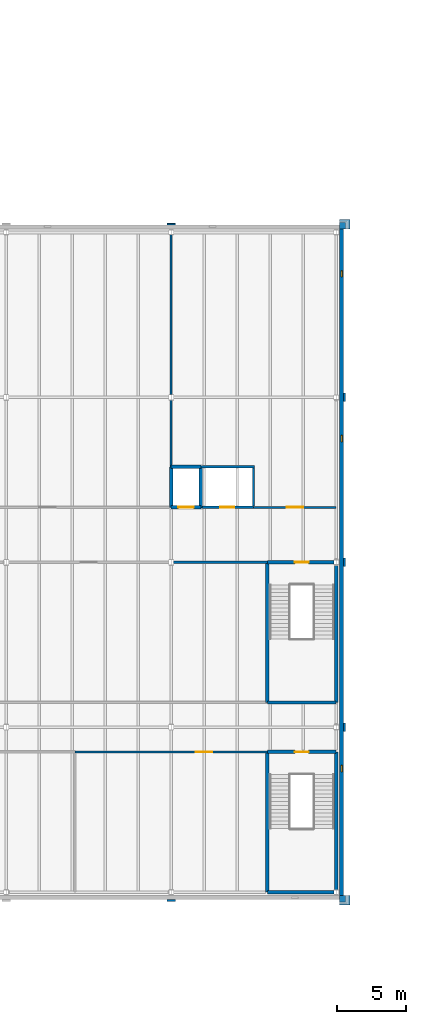
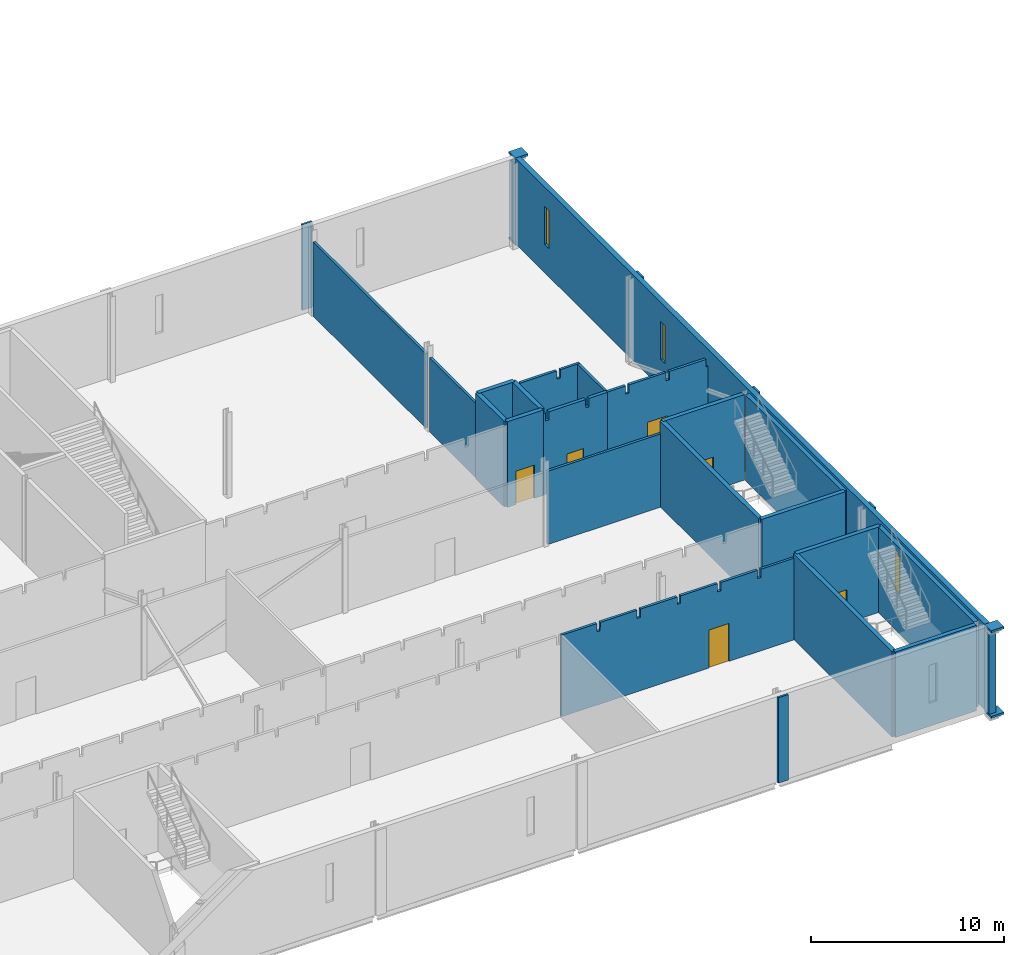
# One storey, part 120 of 170: 32 walls, 6 doors, 3 windows, 9 openings.
"""IFC4 building model written with IfcOpenShell, lengths in metres."""

from ifc_helpers import new_model, si_unit, direction, frame, frame_2d, origin, place, context, subcontext, project, spatial, polyline, rectangle, outline, extrude, material, layer, layer_set, type_object, element, fill, save


model = new_model("IFC4")

# Units and contexts
model_context = context("Model", 3, precision=1e-05, world=origin(), true_north=direction((0.0, 1.0)))
body_context = subcontext(model_context, "Body", "Model", "MODEL_VIEW")
ifc_project = project(units=[si_unit("LENGTHUNIT", "METRE"), si_unit("AREAUNIT", "SQUARE_METRE"), si_unit("VOLUMEUNIT", "CUBIC_METRE"), si_unit("PLANEANGLEUNIT", "RADIAN"), si_unit("MASSUNIT", "GRAM", prefix="KILO")], contexts=[model_context])

# Site, building, storey
site_placement = place(None, origin())
site = spatial("IfcSite", under=ifc_project, at=site_placement, CompositionType="ELEMENT")
building_placement = place(site_placement, origin())
building = spatial("IfcBuilding", under=site, at=building_placement, Name="Ravi Spectrum Wholesale Market", CompositionType="ELEMENT")
storey_placement = place(building_placement, frame((0.0, 0.0, 5.39990234375)))
storey = spatial("IfcBuildingStorey", under=building, at=storey_placement, Name="L01", CompositionType="ELEMENT", Elevation=5.39990234375)

# Wall, opening, door
ifc_material_1 = material(Name="Concrete blockwork", Category="masonry")
ifc_layer_1 = layer(ifc_material_1, 0.199951171875)
ifc_layer_set_1 = layer_set([ifc_layer_1], Name="Concrete blockwork")
wall_type_1 = type_object("IfcWallType", Name="Blockwork partition 200 fire", PredefinedType="PARTITIONING", material=ifc_layer_set_1)
wall_1_placement = place(storey_placement, frame((272.14990234375, 46.0, 0.0), z_axis=(0.0, 0.0, 1.0), x_axis=(1.0, 0.0, 0.0)))
wall_1 = element("IfcWall", 1, at=wall_1_placement, inside=storey, type_object=wall_type_1, Name="CS-WL-L01-106", PredefinedType="PARTITIONING", context=body_context, shape_type="SweptSolid", body=[
    extrude(outline(polyline([(0.0, 0.0), (3.85009765625, 0.0), (3.85009765625, 5.150146484375), (2.7548828125, 5.150146484375), (2.75, 4.630126953125), (2.550048828125, 4.630126953125), (2.544921875, 5.150146484375), (0.35498046875, 5.150146484375), (0.35009765625, 4.630126953125), (0.14990234375, 4.630126953125), (0.14501953125, 5.150146484375), (0.0, 5.150146484375), (0.0, 0.0)])), frame((0.0, 0.10009765625, 0.0), z_axis=(0.0, -1.0, 0.0), x_axis=(1.0, 0.0, 0.0)), (0.0, 0.0, 1.0), 0.199951171875),
])
opening_1_placement = place(wall_1_placement, frame((1.425048828125, 0.0, 0.0)))
opening_1 = element("IfcOpeningElement", 2, at=opening_1_placement, cuts=wall_1, Name="Opening D519", PredefinedType="OPENING", context=body_context, shape_type="SweptSolid", body=[
    extrude(rectangle(XDim=1.0, YDim=2.10009765625, at=frame_2d((0.5, 1.050048828125))), frame((0.0, 0.10986328125, 0.0), z_axis=(0.0, -1.0, 0.0), x_axis=(1.0, 0.0, 0.0)), (0.0, 0.0, 1.0), 0.219970703125),
])
ifc_material_2 = material(Name="Steel door", Category="steel")
door_type_1 = type_object("IfcDoorType", Name="Plant room door 1000 x 2100", OperationType="SINGLE_SWING_LEFT", PredefinedType="DOOR", material=ifc_material_2)
door_1_placement = place(opening_1_placement, origin())
door_1 = element("IfcDoor", 3, at=door_1_placement, inside=storey, type_object=door_type_1, Name="Riser access door D519", OperationType="SINGLE_SWING_RIGHT", OverallHeight=2.10009765625, OverallWidth=1.0, PredefinedType="DOOR", context=body_context, shape_type="SweptSolid", body=[
    extrude(rectangle(XDim=1.0, YDim=2.10009765625, at=frame_2d((0.5, 1.050048828125))), frame((0.0, 0.02490234375, 0.0), z_axis=(0.0, -1.0, 0.0), x_axis=(1.0, 0.0, 0.0)), (0.0, 0.0, 1.0), 0.050048828125),
])
fill(opening_1, door_1)

# Walls
ifc_material_3 = material(Name="Clinker brickwork", Category="masonry")
ifc_layer_2 = layer(ifc_material_3, 0.695068359375)
ifc_layer_set_2 = layer_set([ifc_layer_2], Name="Clinker brickwork")
wall_type_2 = type_object("IfcWallType", Name="Brick corbel 695", PredefinedType="SOLIDWALL", material=ifc_layer_set_2)
for number, where, z_axis, x_axis, name in (
    (4, (282.25, 17.402587890625, -0.1298828125), (0.0, 0.0, 1.0), (1.0, 0.0, 0.0), "CS-WL-L01-036"),
    (5, (282.25, 66.597412109375, -0.1298828125), (0.0, 0.0, 1.0), (1.0, 0.0, 0.0), "CS-WL-L01-039"),
):
    element("IfcWall", number, at=place(storey_placement, frame(where, z_axis=z_axis, x_axis=x_axis)), inside=storey, type_object=wall_type_2, Name=name, PredefinedType="SOLIDWALL", context=body_context, shape_type="SweptSolid", body=[
        extrude(rectangle(XDim=0.760009765625, YDim=0.695068359375, at=frame_2d((0.3798828125, 0.0))), origin(), (0.0, 0.0, 1.0), 0.1298828125),
    ])
for number, where, z_axis, x_axis, name in (
    (6, (282.25, 17.402587890625, 5.27001953125), (0.0, 0.0, 1.0), (1.0, 0.0, 0.0), "CS-WL-L01-050"),
    (7, (282.25, 66.597412109375, 5.27001953125), (0.0, 0.0, 1.0), (1.0, 0.0, 0.0), "CS-WL-L01-054"),
):
    element("IfcWall", number, at=place(storey_placement, frame(where, z_axis=z_axis, x_axis=x_axis)), inside=storey, type_object=wall_type_2, Name=name, PredefinedType="SOLIDWALL", context=body_context, shape_type="SweptSolid", body=[
        extrude(rectangle(XDim=0.760009765625, YDim=0.695068359375, at=frame_2d((0.3798828125, 0.0))), origin(), (0.0, 0.0, 1.0), 0.130126953125),
    ])

# Wall, openings, windows
ifc_material_4 = material(Name="Brick-faced insulated panel", Category="masonry")
ifc_layer_3 = layer(ifc_material_4, 0.300048828125)
ifc_layer_set_3 = layer_set([ifc_layer_3], Name="Brick-faced insulated panel")
wall_type_3 = type_object("IfcWallType", Name="Brick faced insulated panel 300", PredefinedType="SOLIDWALL", material=ifc_layer_set_3)
wall_2_placement = place(storey_placement, frame((282.39990234375, 17.75, 0.0), z_axis=(0.0, 0.0, 1.0), x_axis=(0.0, 1.0, 0.0)))
wall_2 = element("IfcWall", 8, at=wall_2_placement, inside=storey, type_object=wall_type_3, Name="CS-WL-L01-066", PredefinedType="SOLIDWALL", context=body_context, shape_type="SweptSolid", body=[
    extrude(rectangle(XDim=48.5, YDim=0.300048828125, at=frame_2d((24.25, 0.0))), origin(), (0.0, 0.0, 1.0), 5.400146484375),
])
opening_2_placement = place(wall_2_placement, frame((9.02490234375, 0.0, 1.800048828125)))
opening_2 = element("IfcOpeningElement", 9, at=opening_2_placement, cuts=wall_2, Name="Opening W2622", PredefinedType="OPENING", context=body_context, shape_type="SweptSolid", body=[
    extrude(rectangle(XDim=0.449951171875, YDim=2.39990234375, at=frame_2d((0.22509765625, 1.199951171875))), frame((0.0, 0.159912109375, 0.0), z_axis=(0.0, -1.0, 0.0), x_axis=(1.0, 0.0, 0.0)), (0.0, 0.0, 1.0), 0.320068359375),
])
opening_3_placement = place(wall_2_placement, frame((33.02490234375, 0.0, 1.800048828125)))
opening_3 = element("IfcOpeningElement", 10, at=opening_3_placement, cuts=wall_2, Name="Opening W2624", PredefinedType="OPENING", context=body_context, shape_type="SweptSolid", body=[
    extrude(rectangle(XDim=0.449951171875, YDim=2.39990234375, at=frame_2d((0.22509765625, 1.199951171875))), frame((0.0, 0.159912109375, 0.0), z_axis=(0.0, -1.0, 0.0), x_axis=(1.0, 0.0, 0.0)), (0.0, 0.0, 1.0), 0.320068359375),
])
opening_4_placement = place(wall_2_placement, frame((45.02490234375, 0.0, 1.800048828125)))
opening_4 = element("IfcOpeningElement", 11, at=opening_4_placement, cuts=wall_2, Name="Opening W2625", PredefinedType="OPENING", context=body_context, shape_type="SweptSolid", body=[
    extrude(rectangle(XDim=0.449951171875, YDim=2.39990234375, at=frame_2d((0.22509765625, 1.199951171875))), frame((0.0, 0.159912109375, 0.0), z_axis=(0.0, -1.0, 0.0), x_axis=(1.0, 0.0, 0.0)), (0.0, 0.0, 1.0), 0.320068359375),
])
ifc_material_5 = material(Name="Steel window frame", Category="steel")
window_type = type_object("IfcWindowType", Name="Slot window 450 x 2400", PartitioningType="SINGLE_PANEL", PredefinedType="WINDOW", material=ifc_material_5)
window_1_placement = place(opening_2_placement, origin())
window_1 = element("IfcWindow", 12, at=window_1_placement, inside=storey, type_object=window_type, Name="Window W2622", OverallHeight=2.39990234375, OverallWidth=0.449951171875, PartitioningType="SINGLE_PANEL", PredefinedType="WINDOW", context=body_context, shape_type="SweptSolid", body=[
    extrude(rectangle(XDim=0.449951171875, YDim=2.39990234375, at=frame_2d((0.22509765625, 1.199951171875))), frame((0.0, 0.030029296875, 0.0), z_axis=(0.0, -1.0, 0.0), x_axis=(1.0, 0.0, 0.0)), (0.0, 0.0, 1.0), 0.06005859375),
])
fill(opening_2, window_1)
window_2_placement = place(opening_3_placement, origin())
window_2 = element("IfcWindow", 13, at=window_2_placement, inside=storey, type_object=window_type, Name="Window W2624", OverallHeight=2.39990234375, OverallWidth=0.449951171875, PartitioningType="SINGLE_PANEL", PredefinedType="WINDOW", context=body_context, shape_type="SweptSolid", body=[
    extrude(rectangle(XDim=0.449951171875, YDim=2.39990234375, at=frame_2d((0.22509765625, 1.199951171875))), frame((0.0, 0.030029296875, 0.0), z_axis=(0.0, -1.0, 0.0), x_axis=(1.0, 0.0, 0.0)), (0.0, 0.0, 1.0), 0.06005859375),
])
fill(opening_3, window_2)
window_3_placement = place(opening_4_placement, origin())
window_3 = element("IfcWindow", 14, at=window_3_placement, inside=storey, type_object=window_type, Name="Window W2625", OverallHeight=2.39990234375, OverallWidth=0.449951171875, PartitioningType="SINGLE_PANEL", PredefinedType="WINDOW", context=body_context, shape_type="SweptSolid", body=[
    extrude(rectangle(XDim=0.449951171875, YDim=2.39990234375, at=frame_2d((0.22509765625, 1.199951171875))), frame((0.0, 0.030029296875, 0.0), z_axis=(0.0, -1.0, 0.0), x_axis=(1.0, 0.0, 0.0)), (0.0, 0.0, 1.0), 0.06005859375),
])
fill(opening_4, window_3)

# Walls
ifc_material_6 = material(Name="Clinker brickwork", Category="masonry")
ifc_layer_4 = layer(ifc_material_6, 0.485107421875)
ifc_layer_set_4 = layer_set([ifc_layer_4], Name="Clinker brickwork")
wall_type_4 = type_object("IfcWallType", Name="Brick pier 485", PredefinedType="SOLIDWALL", material=ifc_layer_set_4)
for number, where, z_axis, x_axis, name in (
    (15, (282.25, 17.507568359375, 0.0), (0.0, 0.0, 1.0), (1.0, 0.0, 0.0), "CS-WL-L01-047"),
    (16, (282.25, 66.492431640625, 0.0), (0.0, 0.0, 1.0), (1.0, 0.0, 0.0), "CS-WL-L01-051"),
):
    element("IfcWall", number, at=place(storey_placement, frame(where, z_axis=z_axis, x_axis=x_axis)), inside=storey, type_object=wall_type_4, Name=name, PredefinedType="SOLIDWALL", context=body_context, shape_type="SweptSolid", body=[
        extrude(rectangle(XDim=0.4150390625, YDim=0.485107421875, at=frame_2d((0.20751953125, 0.0))), origin(), (0.0, 0.0, 1.0), 5.010009765625),
    ])
ifc_material_7 = material(Name="Facing brickwork", Category="masonry")
ifc_layer_5 = layer(ifc_material_7, 0.114990234375)
ifc_layer_set_5 = layer_set([ifc_layer_5], Name="Facing brickwork")
wall_type_5 = type_object("IfcWallType", Name="Brick pilaster 115", PredefinedType="SOLIDWALL", material=ifc_layer_set_5)
for number, where, z_axis, x_axis, name in (
    (17, (269.699951171875, 17.392578125, 0.0), (0.0, 0.0, 1.0), (1.0, 0.0, 0.0), "CS-WL-L01-065"),
    (18, (282.607421875, 29.699951171875, 0.0), (0.0, 0.0, 1.0), (0.0, 1.0, 0.0), "CS-WL-L01-067"),
    (19, (282.607421875, 41.699951171875, 0.0), (0.0, 0.0, 1.0), (0.0, 1.0, 0.0), "CS-WL-L01-068"),
    (20, (282.607421875, 53.699951171875, 0.0), (0.0, 0.0, 1.0), (0.0, 1.0, 0.0), "CS-WL-L01-069"),
    (21, (270.300048828125, 66.607421875, 0.0), (0.0, 0.0, 1.0), (-1.0, 0.0, 0.0), "CS-WL-L01-071"),
):
    element("IfcWall", number, at=place(storey_placement, frame(where, z_axis=z_axis, x_axis=x_axis)), inside=storey, type_object=wall_type_5, Name=name, PredefinedType="SOLIDWALL", context=body_context, shape_type="SweptSolid", body=[
        extrude(rectangle(XDim=0.60009765625, YDim=0.114990234375, at=frame_2d((0.300048828125, 0.0))), origin(), (0.0, 0.0, 1.0), 5.400146484375),
    ])

# Wall, opening, door
ifc_material_8 = material(Name="Insulated panel")
ifc_layer_6 = layer(ifc_material_8, 0.14990234375)
ifc_layer_set_6 = layer_set([ifc_layer_6], Name="Insulated panel")
wall_type_6 = type_object("IfcWallType", Name="Cold store panel 150", PredefinedType="PARTITIONING", material=ifc_layer_set_6)
wall_3_placement = place(storey_placement, frame((263.0, 28.199951171875, 0.0), z_axis=(0.0, 0.0, 1.0), x_axis=(1.0, 0.0, 0.0)))
wall_3 = element("IfcWall", 22, at=wall_3_placement, inside=storey, type_object=wall_type_6, Name="CS-WL-L01-088", PredefinedType="PARTITIONING", context=body_context, shape_type="SweptSolid", body=[
    extrude(outline(polyline([(0.0, 0.0), (14.0, 0.0), (14.0, 5.150146484375), (11.905029296875, 5.150146484375), (11.89990234375, 4.630126953125), (11.699951171875, 4.630126953125), (11.695068359375, 5.150146484375), (9.5048828125, 5.150146484375), (9.5, 4.630126953125), (9.300048828125, 4.630126953125), (9.294921875, 5.150146484375), (7.10009765625, 5.150146484375), (7.094970703125, 4.68017578125), (6.905029296875, 4.68017578125), (6.89990234375, 5.150146484375), (4.705078125, 5.150146484375), (4.699951171875, 4.630126953125), (4.5, 4.630126953125), (4.4951171875, 5.150146484375), (2.304931640625, 5.150146484375), (2.300048828125, 4.630126953125), (2.10009765625, 4.630126953125), (2.094970703125, 5.150146484375), (0.0, 5.150146484375), (0.0, 0.0)])), frame((0.0, 0.074951171875, 0.0), z_axis=(0.0, -1.0, 0.0), x_axis=(1.0, 0.0, 0.0)), (0.0, 0.0, 1.0), 0.14990234375),
])
opening_5_placement = place(wall_3_placement, frame((8.800048828125, 0.0, 0.0)))
opening_5 = element("IfcOpeningElement", 23, at=opening_5_placement, cuts=wall_3, Name="Opening D509", PredefinedType="OPENING", context=body_context, shape_type="SweptSolid", body=[
    extrude(rectangle(XDim=1.199951171875, YDim=2.39990234375, at=frame_2d((0.60009765625, 1.199951171875))), frame((0.0, 0.0849609375, 0.0), z_axis=(0.0, -1.0, 0.0), x_axis=(1.0, 0.0, 0.0)), (0.0, 0.0, 1.0), 0.169921875),
])
ifc_material_9 = material(Name="Insulated panel door")
door_type_2 = type_object("IfcDoorType", Name="Cold store insulated door 1200 x 2400", OperationType="SINGLE_SWING_LEFT", PredefinedType="DOOR", material=ifc_material_9)
door_2_placement = place(opening_5_placement, origin())
door_2 = element("IfcDoor", 24, at=door_2_placement, inside=storey, type_object=door_type_2, Name="Door D509", OperationType="SINGLE_SWING_LEFT", OverallHeight=2.39990234375, OverallWidth=1.199951171875, PredefinedType="DOOR", context=body_context, shape_type="SweptSolid", body=[
    extrude(rectangle(XDim=1.199951171875, YDim=2.39990234375, at=frame_2d((0.60009765625, 1.199951171875))), frame((0.0, 0.02490234375, 0.0), z_axis=(0.0, -1.0, 0.0), x_axis=(1.0, 0.0, 0.0)), (0.0, 0.0, 1.0), 0.050048828125),
])
fill(opening_5, door_2)

# Wall
wall_4_placement = place(storey_placement, frame((270.14990234375, 42.0, 0.0), z_axis=(0.0, 0.0, 1.0), x_axis=(1.0, 0.0, 0.0)))
element("IfcWall", 25, at=wall_4_placement, inside=storey, type_object=wall_type_6, Name="CS-WL-L01-100", PredefinedType="PARTITIONING", context=body_context, shape_type="SweptSolid", body=[
    extrude(rectangle(XDim=6.85009765625, YDim=0.14990234375, at=frame_2d((3.425048828125, 0.0))), origin(), (0.0, 0.0, 1.0), 4.630126953125),
])

# Wall, opening, door
wall_5_placement = place(storey_placement, frame((276.0, 46.0, 0.0), z_axis=(0.0, 0.0, 1.0), x_axis=(1.0, 0.0, 0.0)))
wall_5 = element("IfcWall", 26, at=wall_5_placement, inside=storey, type_object=wall_type_6, Name="CS-WL-L01-107", PredefinedType="PARTITIONING", context=body_context, shape_type="SweptSolid", body=[
    extrude(outline(polyline([(0.0, 0.0), (6.0, 0.0), (6.0, 4.68017578125), (5.905029296875, 4.68017578125), (5.89990234375, 5.150146484375), (3.705078125, 5.150146484375), (3.699951171875, 4.630126953125), (3.5, 4.630126953125), (3.4951171875, 5.150146484375), (1.304931640625, 5.150146484375), (1.300048828125, 4.630126953125), (1.10009765625, 4.630126953125), (1.094970703125, 5.150146484375), (0.0, 5.150146484375), (0.0, 0.0)])), frame((0.0, 0.074951171875, 0.0), z_axis=(0.0, -1.0, 0.0), x_axis=(1.0, 0.0, 0.0)), (0.0, 0.0, 1.0), 0.14990234375),
])
opening_6_placement = place(wall_5_placement, frame((2.39990234375, 0.0, 0.0)))
opening_6 = element("IfcOpeningElement", 27, at=opening_6_placement, cuts=wall_5, Name="Opening D517", PredefinedType="OPENING", context=body_context, shape_type="SweptSolid", body=[
    extrude(rectangle(XDim=1.199951171875, YDim=2.39990234375, at=frame_2d((0.60009765625, 1.199951171875))), frame((0.0, 0.0849609375, 0.0), z_axis=(0.0, -1.0, 0.0), x_axis=(1.0, 0.0, 0.0)), (0.0, 0.0, 1.0), 0.169921875),
])
door_3_placement = place(opening_6_placement, origin())
door_3 = element("IfcDoor", 28, at=door_3_placement, inside=storey, type_object=door_type_2, Name="Door D517", OperationType="SINGLE_SWING_LEFT", OverallHeight=2.39990234375, OverallWidth=1.199951171875, PredefinedType="DOOR", context=body_context, shape_type="SweptSolid", body=[
    extrude(rectangle(XDim=1.199951171875, YDim=2.39990234375, at=frame_2d((0.60009765625, 1.199951171875))), frame((0.0, 0.02490234375, 0.0), z_axis=(0.0, -1.0, 0.0), x_axis=(1.0, 0.0, 0.0)), (0.0, 0.0, 1.0), 0.050048828125),
])
fill(opening_6, door_3)

# Walls
wall_6_placement = place(storey_placement, frame((272.14990234375, 48.949951171875, 0.0), z_axis=(0.0, 0.0, 1.0), x_axis=(1.0, 0.0, 0.0)))
element("IfcWall", 29, at=wall_6_placement, inside=storey, type_object=wall_type_6, Name="CS-WL-L01-109", PredefinedType="PARTITIONING", context=body_context, shape_type="SweptSolid", body=[
    extrude(outline(polyline([(0.0, 0.0), (3.925048828125, 0.0), (3.925048828125, 5.150146484375), (2.7548828125, 5.150146484375), (2.75, 4.630126953125), (2.550048828125, 4.630126953125), (2.544921875, 5.150146484375), (0.35498046875, 5.150146484375), (0.35009765625, 4.630126953125), (0.14990234375, 4.630126953125), (0.14501953125, 5.150146484375), (0.0, 5.150146484375), (0.0, 0.0)])), frame((0.0, 0.074951171875, 0.0), z_axis=(0.0, -1.0, 0.0), x_axis=(1.0, 0.0, 0.0)), (0.0, 0.0, 1.0), 0.14990234375),
])
wall_7_placement = place(storey_placement, frame((270.0, 48.949951171875, 0.0), z_axis=(0.0, 0.0, 1.0), x_axis=(0.0, 1.0, 0.0)))
element("IfcWall", 30, at=wall_7_placement, inside=storey, type_object=wall_type_6, Name="CS-WL-L01-118", PredefinedType="PARTITIONING", context=body_context, shape_type="SweptSolid", body=[
    extrude(rectangle(XDim=4.85009765625, YDim=0.14990234375, at=frame_2d((2.425048828125, 0.0))), origin(), (0.0, 0.0, 1.0), 4.68017578125),
])
wall_8_placement = place(storey_placement, frame((270.0, 54.199951171875, 0.0), z_axis=(0.0, 0.0, 1.0), x_axis=(0.0, 1.0, 0.0)))
element("IfcWall", 31, at=wall_8_placement, inside=storey, type_object=wall_type_6, Name="CS-WL-L01-119", PredefinedType="PARTITIONING", context=body_context, shape_type="SweptSolid", body=[
    extrude(rectangle(XDim=11.630126953125, YDim=0.14990234375, at=frame_2d((5.81494140625, 0.0))), origin(), (0.0, 0.0, 1.0), 4.68017578125),
])
wall_9_placement = place(storey_placement, frame((276.0, 46.10009765625, 0.0), z_axis=(0.0, 0.0, 1.0), x_axis=(0.0, 1.0, 0.0)))
element("IfcWall", 32, at=wall_9_placement, inside=storey, type_object=wall_type_6, Name="CS-WL-L01-120", PredefinedType="PARTITIONING", context=body_context, shape_type="SweptSolid", body=[
    extrude(rectangle(XDim=2.77490234375, YDim=0.14990234375, at=frame_2d((1.387451171875, 0.0))), origin(), (0.0, 0.0, 1.0), 5.150146484375),
])
ifc_material_10 = material(Name="Concrete C35/45", Category="concrete")
ifc_layer_7 = layer(ifc_material_10, 0.25)
ifc_layer_set_7 = layer_set([ifc_layer_7], Name="Concrete C35/45")
wall_type_7 = type_object("IfcWallType", Name="Concrete core wall 250", PredefinedType="SHEAR", material=ifc_layer_set_7)
wall_10_placement = place(storey_placement, frame((277.0, 31.800048828125, 0.0), z_axis=(0.0, 0.0, 1.0), x_axis=(1.0, 0.0, 0.0)))
element("IfcWall", 33, at=wall_10_placement, inside=storey, type_object=wall_type_7, Name="Stair core wall Stair S-CS-2", PredefinedType="SHEAR", context=body_context, shape_type="SweptSolid", body=[
    extrude(rectangle(XDim=5.0, YDim=0.25, at=frame_2d((2.5, 0.0))), origin(), (0.0, 0.0, 1.0), 5.400146484375),
])
wall_11_placement = place(storey_placement, frame((282.0, 31.800048828125, 0.0), z_axis=(0.0, 0.0, 1.0), x_axis=(0.0, 1.0, 0.0)))
element("IfcWall", 34, at=wall_11_placement, inside=storey, type_object=wall_type_7, Name="Stair core wall Stair S-CS-2", PredefinedType="SHEAR", context=body_context, shape_type="SweptSolid", body=[
    extrude(rectangle(XDim=10.030029296875, YDim=0.25, at=frame_2d((5.01513671875, 0.0))), origin(), (0.0, 0.0, 1.0), 5.400146484375),
])

# Wall, opening, door
wall_12_placement = place(storey_placement, frame((277.0, 42.0, 0.0), z_axis=(0.0, 0.0, 1.0), x_axis=(1.0, 0.0, 0.0)))
wall_12 = element("IfcWall", 35, at=wall_12_placement, inside=storey, type_object=wall_type_7, Name="Stair core wall Stair S-CS-2", PredefinedType="SHEAR", context=body_context, shape_type="SweptSolid", body=[
    extrude(rectangle(XDim=4.85009765625, YDim=0.25, at=frame_2d((2.425048828125, 0.0))), origin(), (0.0, 0.0, 1.0), 5.400146484375),
])
opening_7_placement = place(wall_12_placement, frame((2.0, 0.0, 0.0)))
opening_7 = element("IfcOpeningElement", 36, at=opening_7_placement, cuts=wall_12, Name="Opening D496", PredefinedType="OPENING", context=body_context, shape_type="SweptSolid", body=[
    extrude(rectangle(XDim=1.0, YDim=2.10009765625, at=frame_2d((0.5, 1.050048828125))), frame((0.0, 0.135009765625, 0.0), z_axis=(0.0, -1.0, 0.0), x_axis=(1.0, 0.0, 0.0)), (0.0, 0.0, 1.0), 0.27001953125),
])
ifc_material_11 = material(Name="Steel door", Category="steel")
door_type_3 = type_object("IfcDoorType", Name="Stair door 1000 x 2100", OperationType="SINGLE_SWING_LEFT", PredefinedType="DOOR", material=ifc_material_11)
door_4_placement = place(opening_7_placement, origin())
door_4 = element("IfcDoor", 37, at=door_4_placement, inside=storey, type_object=door_type_3, Name="Door D496", OperationType="SINGLE_SWING_RIGHT", OverallHeight=2.10009765625, OverallWidth=1.0, PredefinedType="DOOR", context=body_context, shape_type="SweptSolid", body=[
    extrude(rectangle(XDim=1.0, YDim=2.10009765625, at=frame_2d((0.5, 1.050048828125))), frame((0.0, 0.02490234375, 0.0), z_axis=(0.0, -1.0, 0.0), x_axis=(1.0, 0.0, 0.0)), (0.0, 0.0, 1.0), 0.050048828125),
])
fill(opening_7, door_4)

# Walls
wall_13_placement = place(storey_placement, frame((277.0, 31.800048828125, 0.0), z_axis=(0.0, 0.0, 1.0), x_axis=(0.0, 1.0, 0.0)))
element("IfcWall", 38, at=wall_13_placement, inside=storey, type_object=wall_type_7, Name="Stair core wall Stair S-CS-2", PredefinedType="SHEAR", context=body_context, shape_type="SweptSolid", body=[
    extrude(rectangle(XDim=10.199951171875, YDim=0.25, at=frame_2d((5.10009765625, 0.0))), origin(), (0.0, 0.0, 1.0), 5.400146484375),
])
wall_14_placement = place(storey_placement, frame((277.0, 18.0, 0.0), z_axis=(0.0, 0.0, 1.0), x_axis=(1.0, 0.0, 0.0)))
element("IfcWall", 39, at=wall_14_placement, inside=storey, type_object=wall_type_7, Name="Stair core wall Stair S-CS-7", PredefinedType="SHEAR", context=body_context, shape_type="SweptSolid", body=[
    extrude(rectangle(XDim=4.85009765625, YDim=0.25, at=frame_2d((2.425048828125, 0.0))), origin(), (0.0, 0.0, 1.0), 5.400146484375),
])
wall_15_placement = place(storey_placement, frame((282.0, 18.169921875, 0.0), z_axis=(0.0, 0.0, 1.0), x_axis=(0.0, 1.0, 0.0)))
element("IfcWall", 40, at=wall_15_placement, inside=storey, type_object=wall_type_7, Name="Stair core wall Stair S-CS-7", PredefinedType="SHEAR", context=body_context, shape_type="SweptSolid", body=[
    extrude(rectangle(XDim=10.030029296875, YDim=0.25, at=frame_2d((5.01513671875, 0.0))), origin(), (0.0, 0.0, 1.0), 5.400146484375),
])

# Wall, opening, door
wall_16_placement = place(storey_placement, frame((277.0, 28.199951171875, 0.0), z_axis=(0.0, 0.0, 1.0), x_axis=(1.0, 0.0, 0.0)))
wall_16 = element("IfcWall", 41, at=wall_16_placement, inside=storey, type_object=wall_type_7, Name="Stair core wall Stair S-CS-7", PredefinedType="SHEAR", context=body_context, shape_type="SweptSolid", body=[
    extrude(rectangle(XDim=5.0, YDim=0.25, at=frame_2d((2.5, 0.0))), origin(), (0.0, 0.0, 1.0), 5.400146484375),
])
opening_8_placement = place(wall_16_placement, frame((2.0, 0.0, 0.0)))
opening_8 = element("IfcOpeningElement", 42, at=opening_8_placement, cuts=wall_16, Name="Opening D501", PredefinedType="OPENING", context=body_context, shape_type="SweptSolid", body=[
    extrude(rectangle(XDim=1.0, YDim=2.10009765625, at=frame_2d((0.5, 1.050048828125))), frame((0.0, 0.135009765625, 0.0), z_axis=(0.0, -1.0, 0.0), x_axis=(1.0, 0.0, 0.0)), (0.0, 0.0, 1.0), 0.27001953125),
])
door_5_placement = place(opening_8_placement, origin())
door_5 = element("IfcDoor", 43, at=door_5_placement, inside=storey, type_object=door_type_3, Name="Door D501", OperationType="SINGLE_SWING_RIGHT", OverallHeight=2.10009765625, OverallWidth=1.0, PredefinedType="DOOR", context=body_context, shape_type="SweptSolid", body=[
    extrude(rectangle(XDim=1.0, YDim=2.10009765625, at=frame_2d((0.5, 1.050048828125))), frame((0.0, 0.02490234375, 0.0), z_axis=(0.0, -1.0, 0.0), x_axis=(1.0, 0.0, 0.0)), (0.0, 0.0, 1.0), 0.050048828125),
])
fill(opening_8, door_5)

# Walls
wall_17_placement = place(storey_placement, frame((277.0, 18.0, 0.0), z_axis=(0.0, 0.0, 1.0), x_axis=(0.0, 1.0, 0.0)))
element("IfcWall", 44, at=wall_17_placement, inside=storey, type_object=wall_type_7, Name="Stair core wall Stair S-CS-7", PredefinedType="SHEAR", context=body_context, shape_type="SweptSolid", body=[
    extrude(rectangle(XDim=10.199951171875, YDim=0.25, at=frame_2d((5.10009765625, 0.0))), origin(), (0.0, 0.0, 1.0), 5.400146484375),
])
ifc_material_12 = material(Name="Concrete C35/45", Category="concrete")
ifc_layer_8 = layer(ifc_material_12, 0.25)
ifc_layer_set_8 = layer_set([ifc_layer_8], Name="Concrete C35/45")
wall_type_8 = type_object("IfcWallType", Name="Shaft wall 250", PredefinedType="SHEAR", material=ifc_layer_set_8)
wall_18_placement = place(storey_placement, frame((272.14990234375, 46.0, 0.0), z_axis=(0.0, 0.0, 1.0), x_axis=(0.0, 1.0, 0.0)))
element("IfcWall", 45, at=wall_18_placement, inside=storey, type_object=wall_type_8, Name="CS-WL-L01-LF-CS-2-E", PredefinedType="SHEAR", context=body_context, shape_type="SweptSolid", body=[
    extrude(rectangle(XDim=2.949951171875, YDim=0.25, at=frame_2d((1.47509765625, 0.0))), origin(), (0.0, 0.0, 1.0), 5.400146484375),
])
wall_19_placement = place(storey_placement, frame((272.14990234375, 48.949951171875, 0.0), z_axis=(0.0, 0.0, 1.0), x_axis=(-1.0, 0.0, 0.0)))
element("IfcWall", 46, at=wall_19_placement, inside=storey, type_object=wall_type_8, Name="CS-WL-L01-LF-CS-2-N", PredefinedType="SHEAR", context=body_context, shape_type="SweptSolid", body=[
    extrude(rectangle(XDim=2.14990234375, YDim=0.25, at=frame_2d((1.074951171875, 0.0))), origin(), (0.0, 0.0, 1.0), 5.400146484375),
])

# Wall, opening, door
wall_20_placement = place(storey_placement, frame((270.0, 46.0, 0.0), z_axis=(0.0, 0.0, 1.0), x_axis=(1.0, 0.0, 0.0)))
wall_20 = element("IfcWall", 47, at=wall_20_placement, inside=storey, type_object=wall_type_8, Name="CS-WL-L01-LF-CS-2-S", PredefinedType="SHEAR", context=body_context, shape_type="SweptSolid", body=[
    extrude(rectangle(XDim=2.14990234375, YDim=0.25, at=frame_2d((1.074951171875, 0.0))), origin(), (0.0, 0.0, 1.0), 5.400146484375),
])
opening_9_placement = place(wall_20_placement, frame((0.52490234375, 0.0, 0.0)))
opening_9 = element("IfcOpeningElement", 48, at=opening_9_placement, cuts=wall_20, Name="Opening D503", PredefinedType="OPENING", context=body_context, shape_type="SweptSolid", body=[
    extrude(rectangle(XDim=1.10009765625, YDim=2.10009765625, at=frame_2d((0.550048828125, 1.050048828125))), frame((0.0, 0.135009765625, 0.0), z_axis=(0.0, -1.0, 0.0), x_axis=(1.0, 0.0, 0.0)), (0.0, 0.0, 1.0), 0.27001953125),
])
ifc_material_13 = material(Name="Stainless steel door", Category="steel")
door_type_4 = type_object("IfcDoorType", Name="Lift landing door 1100 x 2100", OperationType="SLIDING_TO_LEFT", PredefinedType="DOOR", material=ifc_material_13)
door_6_placement = place(opening_9_placement, origin())
door_6 = element("IfcDoor", 49, at=door_6_placement, inside=storey, type_object=door_type_4, Name="Landing door LF-CS-2 L01", OperationType="SLIDING_TO_LEFT", OverallHeight=2.10009765625, OverallWidth=1.10009765625, PredefinedType="DOOR", context=body_context, shape_type="SweptSolid", body=[
    extrude(rectangle(XDim=1.10009765625, YDim=2.10009765625, at=frame_2d((0.550048828125, 1.050048828125))), frame((0.0, 0.02490234375, 0.0), z_axis=(0.0, -1.0, 0.0), x_axis=(1.0, 0.0, 0.0)), (0.0, 0.0, 1.0), 0.050048828125),
])
fill(opening_9, door_6)

# Wall
wall_21_placement = place(storey_placement, frame((270.0, 48.949951171875, 0.0), z_axis=(0.0, 0.0, 1.0), x_axis=(0.0, -1.0, 0.0)))
element("IfcWall", 50, at=wall_21_placement, inside=storey, type_object=wall_type_8, Name="CS-WL-L01-LF-CS-2-W", PredefinedType="SHEAR", context=body_context, shape_type="SweptSolid", body=[
    extrude(rectangle(XDim=2.949951171875, YDim=0.25, at=frame_2d((1.47509765625, 0.0))), origin(), (0.0, 0.0, 1.0), 5.400146484375),
])

save(model, "model.ifc")
